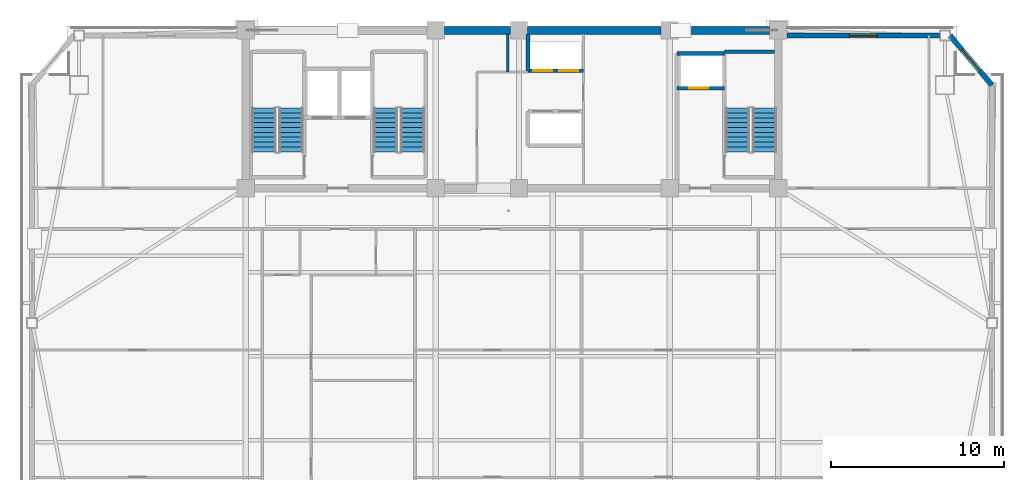
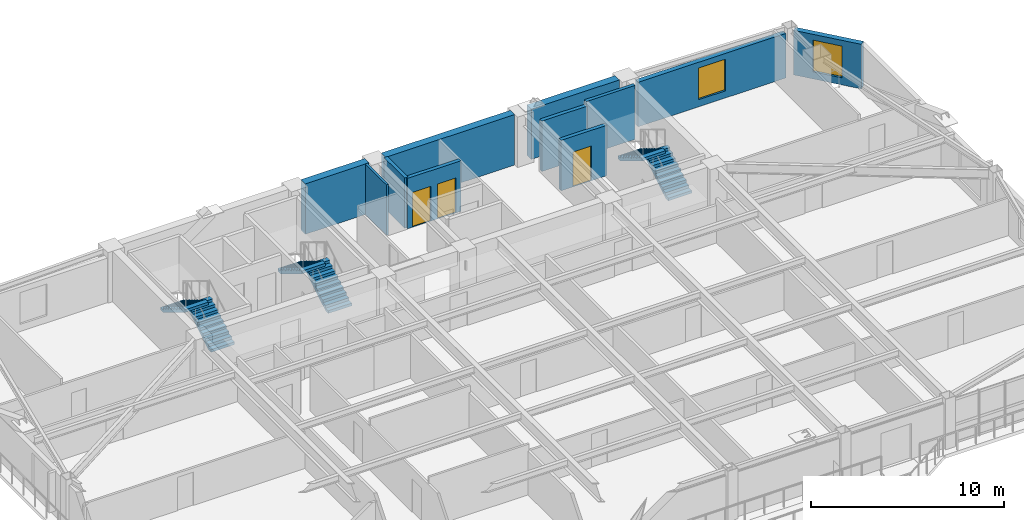
# One storey, part 11 of 16: 11 walls, 6 stair flights, 3 doors, 2 windows, 5 openings, 3 elements without a shape of their own.
"""IFC4 building model written with IfcOpenShell, lengths in metres."""

from ifc_helpers import new_model, si_unit, direction, frame, frame_2d, origin, place, context, subcontext, project, spatial, polyline, rectangle, outline, extrude, source, transform, mapped, material, layer, layer_set, type_object, element, fill, aggregate, save


model = new_model("IFC4")

# Units and contexts
model_context = context("Model", 3, precision=1e-05, world=origin(), true_north=direction((0.0, 1.0)))
body_context = subcontext(model_context, "Body", "Model", "MODEL_VIEW")
ifc_project = project(units=[si_unit("LENGTHUNIT", "METRE"), si_unit("AREAUNIT", "SQUARE_METRE"), si_unit("VOLUMEUNIT", "CUBIC_METRE"), si_unit("PLANEANGLEUNIT", "RADIAN"), si_unit("MASSUNIT", "GRAM", prefix="KILO")], contexts=[model_context])

# Site, building, storey
site_placement = place(None, origin())
site = spatial("IfcSite", under=ifc_project, at=site_placement, CompositionType="ELEMENT")
building_placement = place(site_placement, origin())
building = spatial("IfcBuilding", under=site, at=building_placement, Name="Giltprow Tower", CompositionType="ELEMENT")
storey_placement = place(building_placement, frame((0.0, 0.0, 227.0)))
storey = spatial("IfcBuildingStorey", under=building, at=storey_placement, Name="L57", CompositionType="ELEMENT", Elevation=227.0)

# Wall, opening, window
ifc_material_1 = material(Name="Precast concrete C40", Category="concrete")
ifc_layer_1 = layer(ifc_material_1, 0.300048828125, Name="Precast concrete C40")
ifc_layer_set_1 = layer_set([ifc_layer_1], Name="Precast concrete C40")
wall_type_1 = type_object("IfcWallType", Name="EW-NOTCH-CHAMFER-300", PredefinedType="SOLIDWALL", material=ifc_layer_set_1)
wall_1_placement = place(storey_placement, frame((62.866943359375, 43.39306640625, 0.0), z_axis=(0.0, 0.0, 1.0), x_axis=(-0.644314839722, 0.764760346326, 0.0)))
wall_1 = element("IfcWall", 1, at=wall_1_placement, inside=storey, type_object=wall_type_1, Name="L57 Corner Notch Wall NE", PredefinedType="SOLIDWALL", context=body_context, shape_type="SweptSolid", body=[
    extrude(rectangle(XDim=3.73583984375, YDim=0.300048828125, at=frame_2d((1.867919921875, 0.0))), origin(), (0.0, 0.0, 1.0), 2.81494140625),
])
opening_1_placement = place(wall_1_placement, frame((1.068115234375, 0.0, 0.449951171875)))
opening_1 = element("IfcOpeningElement", 2, at=opening_1_placement, cuts=wall_1, Name="Opening WN17", PredefinedType="OPENING", context=body_context, shape_type="SweptSolid", body=[
    extrude(rectangle(XDim=1.60009765625, YDim=2.0, at=frame_2d((0.800048828125, 1.0))), frame((0.0, 0.159912109375, 0.0), z_axis=(0.0, -1.0, 0.0), x_axis=(1.0, 0.0, 0.0)), (0.0, 0.0, 1.0), 0.320068359375),
])
ifc_material_2 = material(Name="Insulated glass", Category="glass")
window_type = type_object("IfcWindowType", Name="WN-COR-1600x2000", PartitioningType="SINGLE_PANEL", PredefinedType="WINDOW", material=ifc_material_2)
shared_shape_1 = source(origin(), body_context, "Body", "SweptSolid", [
    extrude(rectangle(XDim=1.60009765625, YDim=2.0, at=frame_2d((0.800048828125, 1.0))), frame((0.0, 0.030029296875, 0.0), z_axis=(0.0, -1.0, 0.0), x_axis=(1.0, 0.0, 0.0)), (0.0, 0.0, 1.0), 0.06005859375),
])
window_1_placement = place(opening_1_placement, origin())
window_1 = element("IfcWindow", 3, at=window_1_placement, inside=storey, type_object=window_type, Name="L57 Corner Notch Window NE", OverallHeight=2.0, OverallWidth=1.60009765625, PartitioningType="SINGLE_PANEL", PredefinedType="WINDOW", context=body_context, shape_type="MappedRepresentation", body=[
    mapped(shared_shape_1, transform((0.0, 0.0, 0.0), x_axis=(1.0, 0.0, 0.0), y_axis=(0.0, 1.0, 0.0), z_axis=(0.0, 0.0, 1.0), scale=1.0)),
])
fill(opening_1, window_1)

ifc_layer_2 = layer(ifc_material_1, 0.280029296875, Name="Precast concrete C40")
ifc_layer_set_2 = layer_set([ifc_layer_2], Name="Precast concrete C40")
wall_type_2 = type_object("IfcWallType", Name="EW-TOW-BRONZE-280", PredefinedType="SOLIDWALL", material=ifc_layer_set_2)
wall_2_placement = place(storey_placement, frame((51.050048828125, 46.25, 0.0), z_axis=(0.0, 0.0, 1.0), x_axis=(1.0, 0.0, 0.0)))
wall_2 = element("IfcWall", 4, at=wall_2_placement, inside=storey, type_object=wall_type_2, Name="L57 North-East Wing Wall", PredefinedType="SOLIDWALL", context=body_context, shape_type="SweptSolid", body=[
    extrude(rectangle(XDim=8.81005859375, YDim=0.280029296875, at=frame_2d((4.405029296875, 0.0))), origin(), (0.0, 0.0, 1.0), 2.81494140625),
])
opening_2_placement = place(wall_2_placement, frame((3.60498046875, 0.0, 0.449951171875)))
opening_2 = element("IfcOpeningElement", 5, at=opening_2_placement, cuts=wall_2, Name="Opening WN17", PredefinedType="OPENING", context=body_context, shape_type="SweptSolid", body=[
    extrude(rectangle(XDim=1.60009765625, YDim=2.0, at=frame_2d((0.800048828125, 1.0))), frame((0.0, 0.14990234375, 0.0), z_axis=(0.0, -1.0, 0.0), x_axis=(1.0, 0.0, 0.0)), (0.0, 0.0, 1.0), 0.300048828125),
])
window_2_placement = place(opening_2_placement, origin())
window_2 = element("IfcWindow", 6, at=window_2_placement, inside=storey, type_object=window_type, Name="L57 North-East Window", OverallHeight=2.0, OverallWidth=1.60009765625, PartitioningType="SINGLE_PANEL", PredefinedType="WINDOW", context=body_context, shape_type="MappedRepresentation", body=[
    mapped(shared_shape_1, transform((0.0, 0.0, 0.0), x_axis=(1.0, 0.0, 0.0), y_axis=(0.0, 1.0, 0.0), z_axis=(0.0, 0.0, 1.0), scale=1.0)),
])
fill(opening_2, window_2)

# Wall, opening, door
ifc_material_3 = material(Name="Concrete C40", Category="concrete")
ifc_layer_3 = layer(ifc_material_3, 0.219970703125, Name="Concrete C40")
ifc_layer_set_3 = layer_set([ifc_layer_3], Name="Concrete C40")
wall_type_3 = type_object("IfcWallType", Name="IW-SHAFT-220", PredefinedType="SOLIDWALL", material=ifc_layer_set_3)
wall_3_placement = place(storey_placement, frame((44.719970703125, 43.219970703125, 0.0), z_axis=(0.0, 0.0, 1.0), x_axis=(1.0, 0.0, 0.0)))
wall_3 = element("IfcWall", 7, at=wall_3_placement, inside=storey, type_object=wall_type_3, Name="L57 FFL2 Front Shaft Wall", PredefinedType="SOLIDWALL", context=body_context, shape_type="SweptSolid", body=[
    extrude(rectangle(XDim=2.719970703125, YDim=0.219970703125, at=frame_2d((1.35986328125, 0.0))), origin(), (0.0, 0.0, 1.0), 3.18505859375),
])
opening_3_placement = place(wall_3_placement, frame((0.699951171875, 0.0, 0.0)))
opening_3 = element("IfcOpeningElement", 8, at=opening_3_placement, cuts=wall_3, Name="Opening LD-11", PredefinedType="OPENING", context=body_context, shape_type="SweptSolid", body=[
    extrude(rectangle(XDim=1.10009765625, YDim=2.199951171875, at=frame_2d((0.550048828125, 1.10009765625))), frame((0.0, 0.119873046875, 0.0), z_axis=(0.0, -1.0, 0.0), x_axis=(1.0, 0.0, 0.0)), (0.0, 0.0, 1.0), 0.239990234375),
])
ifc_material_4 = material(Name="Stainless steel", Category="steel")
door_type = type_object("IfcDoorType", Name="DR-LIFT-LD1100", OperationType="SLIDING_TO_LEFT", PredefinedType="DOOR", material=ifc_material_4)
shared_shape_2 = source(origin(), body_context, "Body", "SweptSolid", [
    extrude(rectangle(XDim=1.10009765625, YDim=2.199951171875, at=frame_2d((0.550048828125, 1.10009765625))), frame((0.0, 0.02490234375, 0.0), z_axis=(0.0, -1.0, 0.0), x_axis=(1.0, 0.0, 0.0)), (0.0, 0.0, 1.0), 0.050048828125),
])
door_1_placement = place(opening_3_placement, origin())
door_1 = element("IfcDoor", 9, at=door_1_placement, inside=storey, type_object=door_type, Name="L57 FFL2 Landing Door", OperationType="SLIDING_TO_LEFT", OverallHeight=2.199951171875, OverallWidth=1.10009765625, PredefinedType="DOOR", context=body_context, shape_type="MappedRepresentation", body=[
    mapped(shared_shape_2, transform((0.0, 0.0, 0.0), x_axis=(1.0, 0.0, 0.0), y_axis=(0.0, 1.0, 0.0), z_axis=(0.0, 0.0, 1.0), scale=1.0)),
])
fill(opening_3, door_1)

# Wall
wall_4_placement = place(storey_placement, frame((44.719970703125, 45.219970703125, 0.0), z_axis=(0.0, 0.0, 1.0), x_axis=(1.0, 0.0, 0.0)))
element("IfcWall", 10, at=wall_4_placement, inside=storey, type_object=wall_type_3, Name="L57 FFL2 Back Shaft Wall", PredefinedType="SOLIDWALL", context=body_context, shape_type="SweptSolid", body=[
    extrude(rectangle(XDim=2.719970703125, YDim=0.219970703125, at=frame_2d((1.35986328125, 0.0))), origin(), (0.0, 0.0, 1.0), 3.18505859375),
])

# Wall, openings, doors
wall_5_placement = place(storey_placement, frame((36.1201171875, 44.219970703125, 0.0), z_axis=(0.0, 0.0, 1.0), x_axis=(1.0, 0.0, 0.0)))
wall_5 = element("IfcWall", 11, at=wall_5_placement, inside=storey, type_object=wall_type_3, Name="L57 High-Rise Lift Shaft Front Wall N", PredefinedType="SOLIDWALL", context=body_context, shape_type="SweptSolid", body=[
    extrude(rectangle(XDim=3.199951171875, YDim=0.219970703125, at=frame_2d((1.60009765625, 0.0))), origin(), (0.0, 0.0, 1.0), 3.18505859375),
])
opening_4_placement = place(wall_5_placement, frame((0.300048828125, 0.0, 0.0)))
opening_4 = element("IfcOpeningElement", 12, at=opening_4_placement, cuts=wall_5, Name="Opening LD-11", PredefinedType="OPENING", context=body_context, shape_type="SweptSolid", body=[
    extrude(rectangle(XDim=1.10009765625, YDim=2.199951171875, at=frame_2d((0.550048828125, 1.10009765625))), frame((0.0, 0.119873046875, 0.0), z_axis=(0.0, -1.0, 0.0), x_axis=(1.0, 0.0, 0.0)), (0.0, 0.0, 1.0), 0.239990234375),
])
opening_5_placement = place(wall_5_placement, frame((1.7900390625, 0.0, 0.0)))
opening_5 = element("IfcOpeningElement", 13, at=opening_5_placement, cuts=wall_5, Name="Opening LD-11", PredefinedType="OPENING", context=body_context, shape_type="SweptSolid", body=[
    extrude(rectangle(XDim=1.10009765625, YDim=2.199951171875, at=frame_2d((0.550048828125, 1.10009765625))), frame((0.0, 0.119873046875, 0.0), z_axis=(0.0, -1.0, 0.0), x_axis=(1.0, 0.0, 0.0)), (0.0, 0.0, 1.0), 0.239990234375),
])
door_2_placement = place(opening_4_placement, origin())
door_2 = element("IfcDoor", 14, at=door_2_placement, inside=storey, type_object=door_type, Name="L57 PL-H1 Landing Door", OperationType="SLIDING_TO_LEFT", OverallHeight=2.199951171875, OverallWidth=1.10009765625, PredefinedType="DOOR", context=body_context, shape_type="MappedRepresentation", body=[
    mapped(shared_shape_2, transform((0.0, 0.0, 0.0), x_axis=(1.0, 0.0, 0.0), y_axis=(0.0, 1.0, 0.0), z_axis=(0.0, 0.0, 1.0), scale=1.0)),
])
fill(opening_4, door_2)
door_3_placement = place(opening_5_placement, origin())
door_3 = element("IfcDoor", 15, at=door_3_placement, inside=storey, type_object=door_type, Name="L57 PL-H2 Landing Door", OperationType="SLIDING_TO_LEFT", OverallHeight=2.199951171875, OverallWidth=1.10009765625, PredefinedType="DOOR", context=body_context, shape_type="MappedRepresentation", body=[
    mapped(shared_shape_2, transform((0.0, 0.0, 0.0), x_axis=(1.0, 0.0, 0.0), y_axis=(0.0, 1.0, 0.0), z_axis=(0.0, 0.0, 1.0), scale=1.0)),
])
fill(opening_5, door_3)

# Walls
wall_6_placement = place(storey_placement, frame((36.1201171875, 44.219970703125, 0.0), z_axis=(0.0, 0.0, 1.0), x_axis=(0.0, 1.0, 0.0)))
element("IfcWall", 16, at=wall_6_placement, inside=storey, type_object=wall_type_3, Name="L57 High-Rise North Lift West Closure", PredefinedType="SOLIDWALL", context=body_context, shape_type="SweptSolid", body=[
    extrude(rectangle(XDim=2.125, YDim=0.219970703125, at=frame_2d((1.0625, 0.0))), origin(), (0.0, 0.0, 1.0), 3.18505859375),
])
ifc_layer_4 = layer(ifc_material_3, 0.199951171875, Name="Concrete C40")
ifc_layer_set_4 = layer_set([ifc_layer_4], Name="Concrete C40")
wall_type_4 = type_object("IfcWallType", Name="IW-STAIR-200", PredefinedType="SOLIDWALL", material=ifc_layer_set_4)
wall_7_placement = place(storey_placement, frame((47.43994140625, 45.320068359375, 0.0), z_axis=(0.0, 0.0, 1.0), x_axis=(1.0, 0.0, 0.0)))
element("IfcWall", 17, at=wall_7_placement, inside=storey, type_object=wall_type_4, Name="L57 Stair ST-3 North Bearing Wall", PredefinedType="SOLIDWALL", context=body_context, shape_type="SweptSolid", body=[
    extrude(rectangle(XDim=2.905029296875, YDim=0.199951171875, at=frame_2d((1.45263671875, 0.0))), origin(), (0.0, 0.0, 1.0), 3.39990234375),
])
ifc_material_5 = material(Name="Concrete C30", Category="concrete")
ifc_layer_5 = layer(ifc_material_5, 0.1298828125, Name="Concrete C30")
ifc_layer_set_5 = layer_set([ifc_layer_5], Name="Concrete C30")
wall_type_5 = type_object("IfcWallType", Name="IW-WET-130", PredefinedType="PARTITIONING", material=ifc_layer_set_5)
wall_8_placement = place(storey_placement, frame((34.949951171875, 44.14990234375, 0.0), z_axis=(0.0, 0.0, 1.0), x_axis=(0.0, 1.0, 0.0)))
element("IfcWall", 18, at=wall_8_placement, inside=storey, type_object=wall_type_5, Name="L57 Reclaimed West Pocket Wall E", PredefinedType="PARTITIONING", context=body_context, shape_type="SweptSolid", body=[
    extrude(rectangle(XDim=2.195068359375, YDim=0.1298828125, at=frame_2d((1.09765625, 0.0))), origin(), (0.0, 0.0, 1.0), 3.18505859375),
])
ifc_material_6 = material(Name="Concrete C50", Category="concrete")
ifc_layer_6 = layer(ifc_material_6, 0.449951171875, Name="Concrete C50")
ifc_layer_set_6 = layer_set([ifc_layer_6], Name="Concrete C50")
wall_type_6 = type_object("IfcWallType", Name="SW-EXT-450-C50", PredefinedType="SHEAR", material=ifc_layer_set_6)
wall_9_placement = place(storey_placement, frame((31.300048828125, 46.550048828125, 0.0), z_axis=(0.0, 0.0, 1.0), x_axis=(1.0, 0.0, 0.0)))
element("IfcWall", 19, at=wall_9_placement, inside=storey, type_object=wall_type_6, Name="L57 North Rear Core Shear Wall 2", PredefinedType="SHEAR", context=body_context, shape_type="SweptSolid", body=[
    extrude(rectangle(XDim=3.800048828125, YDim=0.449951171875, at=frame_2d((1.89990234375, 0.0))), origin(), (0.0, 0.0, 1.0), 3.18505859375),
])
wall_10_placement = place(storey_placement, frame((36.10009765625, 46.550048828125, 0.0), z_axis=(0.0, 0.0, 1.0), x_axis=(1.0, 0.0, 0.0)))
element("IfcWall", 20, at=wall_10_placement, inside=storey, type_object=wall_type_6, Name="L57 North Rear Core Shear Wall 3", PredefinedType="SHEAR", context=body_context, shape_type="SweptSolid", body=[
    extrude(rectangle(XDim=7.699951171875, YDim=0.449951171875, at=frame_2d((3.85009765625, 0.0))), origin(), (0.0, 0.0, 1.0), 3.18505859375),
])
wall_11_placement = place(storey_placement, frame((44.800048828125, 46.550048828125, 0.0), z_axis=(0.0, 0.0, 1.0), x_axis=(1.0, 0.0, 0.0)))
element("IfcWall", 21, at=wall_11_placement, inside=storey, type_object=wall_type_6, Name="L57 North Rear Core Shear Wall 4", PredefinedType="SHEAR", context=body_context, shape_type="SweptSolid", body=[
    extrude(rectangle(XDim=5.25, YDim=0.449951171875, at=frame_2d((2.625, 0.0))), origin(), (0.0, 0.0, 1.0), 3.18505859375),
])

# Stair, stair flights
stair_type_1 = type_object("IfcStairType", Name="STR-ST-1", PredefinedType="HALF_TURN_STAIR", material=ifc_material_3)
stair_1_placement = place(storey_placement, origin())
stair_1 = element("IfcStair", 22, at=stair_1_placement, inside=storey, type_object=stair_type_1, Name="L57 Core Exit Stair ST-1", PredefinedType="HALF_TURN_STAIR")
stair_flight_type_1 = type_object("IfcStairFlightType", Name="SFL-ST-1", PredefinedType="STRAIGHT", material=ifc_material_3)
stair_flight_1_placement = place(storey_placement, frame((22.4599609375, 39.550048828125, 0.0), z_axis=(0.0, 0.0, 1.0), x_axis=(0.0, 1.0, 0.0)))
stair_flight_1 = element("IfcStairFlight", 23, at=stair_flight_1_placement, type_object=stair_flight_type_1, Name="ST-1 flight 1", NumberOfRisers=10, NumberOfTreads=9, PredefinedType="STRAIGHT", RiserHeight=0.17, TreadLength=0.28, context=body_context, shape_type="SweptSolid", body=[
    extrude(outline(polyline([(0.0, 0.0), (0.0, 0.169921875), (0.280029296875, 0.169921875), (0.280029296875, 0.340087890625), (0.56005859375, 0.340087890625), (0.56005859375, 0.510009765625), (0.840087890625, 0.510009765625), (0.840087890625, 0.679931640625), (1.1201171875, 0.679931640625), (1.1201171875, 0.85009765625), (1.39990234375, 0.85009765625), (1.39990234375, 1.02001953125), (1.679931640625, 1.02001953125), (1.679931640625, 1.18994140625), (1.9599609375, 1.18994140625), (1.9599609375, 1.360107421875), (2.239990234375, 1.360107421875), (2.239990234375, 1.530029296875), (2.52001953125, 1.530029296875), (2.52001953125, 1.699951171875), (2.52001953125, 1.354736328125), (0.288818359375, 0.0), (0.0, 0.0)])), frame((0.0, 0.699951171875, 0.0), z_axis=(0.0, -1.0, 0.0), x_axis=(1.0, 0.0, 0.0)), (0.0, 0.0, 1.0), 1.39990234375),
])
stair_flight_2_placement = place(storey_placement, frame((20.89990234375, 42.070068359375, 1.699951171875), z_axis=(0.0, 0.0, 1.0), x_axis=(0.0, -1.0, 0.0)))
stair_flight_2 = element("IfcStairFlight", 24, at=stair_flight_2_placement, type_object=stair_flight_type_1, Name="ST-1 flight 2", NumberOfRisers=10, NumberOfTreads=9, PredefinedType="STRAIGHT", RiserHeight=0.17, TreadLength=0.28, context=body_context, shape_type="SweptSolid", body=[
    extrude(outline(polyline([(0.0, 0.0), (0.0, 0.169921875), (0.280029296875, 0.169921875), (0.280029296875, 0.340087890625), (0.56005859375, 0.340087890625), (0.56005859375, 0.510009765625), (0.840087890625, 0.510009765625), (0.840087890625, 0.679931640625), (1.1201171875, 0.679931640625), (1.1201171875, 0.85009765625), (1.39990234375, 0.85009765625), (1.39990234375, 1.02001953125), (1.679931640625, 1.02001953125), (1.679931640625, 1.18994140625), (1.9599609375, 1.18994140625), (1.9599609375, 1.360107421875), (2.239990234375, 1.360107421875), (2.239990234375, 1.530029296875), (2.52001953125, 1.530029296875), (2.52001953125, 1.699951171875), (2.52001953125, 1.354736328125), (0.288818359375, 0.0), (0.0, 0.0)])), frame((0.0, 0.699951171875, 0.0), z_axis=(0.0, -1.0, 0.0), x_axis=(1.0, 0.0, 0.0)), (0.0, 0.0, 1.0), 1.39990234375),
])
aggregate(stair_1, [stair_flight_1, stair_flight_2])

stair_type_2 = type_object("IfcStairType", Name="STR-ST-2", PredefinedType="HALF_TURN_STAIR", material=ifc_material_3)
stair_2_placement = place(storey_placement, origin())
stair_2 = element("IfcStair", 25, at=stair_2_placement, inside=storey, type_object=stair_type_2, Name="L57 Core Exit Stair ST-2", PredefinedType="HALF_TURN_STAIR")
stair_flight_type_2 = type_object("IfcStairFlightType", Name="SFL-ST-2", PredefinedType="STRAIGHT", material=ifc_material_3)
stair_flight_3_placement = place(storey_placement, frame((29.4599609375, 39.550048828125, 0.0), z_axis=(0.0, 0.0, 1.0), x_axis=(0.0, 1.0, 0.0)))
stair_flight_3 = element("IfcStairFlight", 26, at=stair_flight_3_placement, type_object=stair_flight_type_2, Name="ST-2 flight 1", NumberOfRisers=10, NumberOfTreads=9, PredefinedType="STRAIGHT", RiserHeight=0.17, TreadLength=0.28, context=body_context, shape_type="SweptSolid", body=[
    extrude(outline(polyline([(0.0, 0.0), (0.0, 0.169921875), (0.280029296875, 0.169921875), (0.280029296875, 0.340087890625), (0.56005859375, 0.340087890625), (0.56005859375, 0.510009765625), (0.840087890625, 0.510009765625), (0.840087890625, 0.679931640625), (1.1201171875, 0.679931640625), (1.1201171875, 0.85009765625), (1.39990234375, 0.85009765625), (1.39990234375, 1.02001953125), (1.679931640625, 1.02001953125), (1.679931640625, 1.18994140625), (1.9599609375, 1.18994140625), (1.9599609375, 1.360107421875), (2.239990234375, 1.360107421875), (2.239990234375, 1.530029296875), (2.52001953125, 1.530029296875), (2.52001953125, 1.699951171875), (2.52001953125, 1.354736328125), (0.288818359375, 0.0), (0.0, 0.0)])), frame((0.0, 0.699951171875, 0.0), z_axis=(0.0, -1.0, 0.0), x_axis=(1.0, 0.0, 0.0)), (0.0, 0.0, 1.0), 1.39990234375),
])
stair_flight_4_placement = place(storey_placement, frame((27.89990234375, 42.070068359375, 1.699951171875), z_axis=(0.0, 0.0, 1.0), x_axis=(0.0, -1.0, 0.0)))
stair_flight_4 = element("IfcStairFlight", 27, at=stair_flight_4_placement, type_object=stair_flight_type_2, Name="ST-2 flight 2", NumberOfRisers=10, NumberOfTreads=9, PredefinedType="STRAIGHT", RiserHeight=0.17, TreadLength=0.28, context=body_context, shape_type="SweptSolid", body=[
    extrude(outline(polyline([(0.0, 0.0), (0.0, 0.169921875), (0.280029296875, 0.169921875), (0.280029296875, 0.340087890625), (0.56005859375, 0.340087890625), (0.56005859375, 0.510009765625), (0.840087890625, 0.510009765625), (0.840087890625, 0.679931640625), (1.1201171875, 0.679931640625), (1.1201171875, 0.85009765625), (1.39990234375, 0.85009765625), (1.39990234375, 1.02001953125), (1.679931640625, 1.02001953125), (1.679931640625, 1.18994140625), (1.9599609375, 1.18994140625), (1.9599609375, 1.360107421875), (2.239990234375, 1.360107421875), (2.239990234375, 1.530029296875), (2.52001953125, 1.530029296875), (2.52001953125, 1.699951171875), (2.52001953125, 1.354736328125), (0.288818359375, 0.0), (0.0, 0.0)])), frame((0.0, 0.699951171875, 0.0), z_axis=(0.0, -1.0, 0.0), x_axis=(1.0, 0.0, 0.0)), (0.0, 0.0, 1.0), 1.39990234375),
])
aggregate(stair_2, [stair_flight_3, stair_flight_4])

stair_type_3 = type_object("IfcStairType", Name="STR-ST-3", PredefinedType="HALF_TURN_STAIR", material=ifc_material_3)
stair_3_placement = place(storey_placement, origin())
stair_3 = element("IfcStair", 28, at=stair_3_placement, inside=storey, type_object=stair_type_3, Name="L57 Core Exit Stair ST-3", PredefinedType="HALF_TURN_STAIR")
stair_flight_type_3 = type_object("IfcStairFlightType", Name="SFL-ST-3", PredefinedType="STRAIGHT", material=ifc_material_3)
stair_flight_5_placement = place(storey_placement, frame((49.760009765625, 39.550048828125, 0.0), z_axis=(0.0, 0.0, 1.0), x_axis=(0.0, 1.0, 0.0)))
stair_flight_5 = element("IfcStairFlight", 29, at=stair_flight_5_placement, type_object=stair_flight_type_3, Name="ST-3 flight 1", NumberOfRisers=10, NumberOfTreads=9, PredefinedType="STRAIGHT", RiserHeight=0.17, TreadLength=0.28, context=body_context, shape_type="SweptSolid", body=[
    extrude(outline(polyline([(0.0, 0.0), (0.0, 0.169921875), (0.280029296875, 0.169921875), (0.280029296875, 0.340087890625), (0.56005859375, 0.340087890625), (0.56005859375, 0.510009765625), (0.840087890625, 0.510009765625), (0.840087890625, 0.679931640625), (1.1201171875, 0.679931640625), (1.1201171875, 0.85009765625), (1.39990234375, 0.85009765625), (1.39990234375, 1.02001953125), (1.679931640625, 1.02001953125), (1.679931640625, 1.18994140625), (1.9599609375, 1.18994140625), (1.9599609375, 1.360107421875), (2.239990234375, 1.360107421875), (2.239990234375, 1.530029296875), (2.52001953125, 1.530029296875), (2.52001953125, 1.699951171875), (2.52001953125, 1.354736328125), (0.288818359375, 0.0), (0.0, 0.0)])), frame((0.0, 0.699951171875, 0.0), z_axis=(0.0, -1.0, 0.0), x_axis=(1.0, 0.0, 0.0)), (0.0, 0.0, 1.0), 1.39990234375),
])
stair_flight_6_placement = place(storey_placement, frame((48.199951171875, 42.070068359375, 1.699951171875), z_axis=(0.0, 0.0, 1.0), x_axis=(0.0, -1.0, 0.0)))
stair_flight_6 = element("IfcStairFlight", 30, at=stair_flight_6_placement, type_object=stair_flight_type_3, Name="ST-3 flight 2", NumberOfRisers=10, NumberOfTreads=9, PredefinedType="STRAIGHT", RiserHeight=0.17, TreadLength=0.28, context=body_context, shape_type="SweptSolid", body=[
    extrude(outline(polyline([(0.0, 0.0), (0.0, 0.169921875), (0.280029296875, 0.169921875), (0.280029296875, 0.340087890625), (0.56005859375, 0.340087890625), (0.56005859375, 0.510009765625), (0.840087890625, 0.510009765625), (0.840087890625, 0.679931640625), (1.1201171875, 0.679931640625), (1.1201171875, 0.85009765625), (1.39990234375, 0.85009765625), (1.39990234375, 1.02001953125), (1.679931640625, 1.02001953125), (1.679931640625, 1.18994140625), (1.9599609375, 1.18994140625), (1.9599609375, 1.360107421875), (2.239990234375, 1.360107421875), (2.239990234375, 1.530029296875), (2.52001953125, 1.530029296875), (2.52001953125, 1.699951171875), (2.52001953125, 1.354736328125), (0.288818359375, 0.0), (0.0, 0.0)])), frame((0.0, 0.699951171875, 0.0), z_axis=(0.0, -1.0, 0.0), x_axis=(1.0, 0.0, 0.0)), (0.0, 0.0, 1.0), 1.39990234375),
])
aggregate(stair_3, [stair_flight_5, stair_flight_6])

save(model, "model.ifc")
